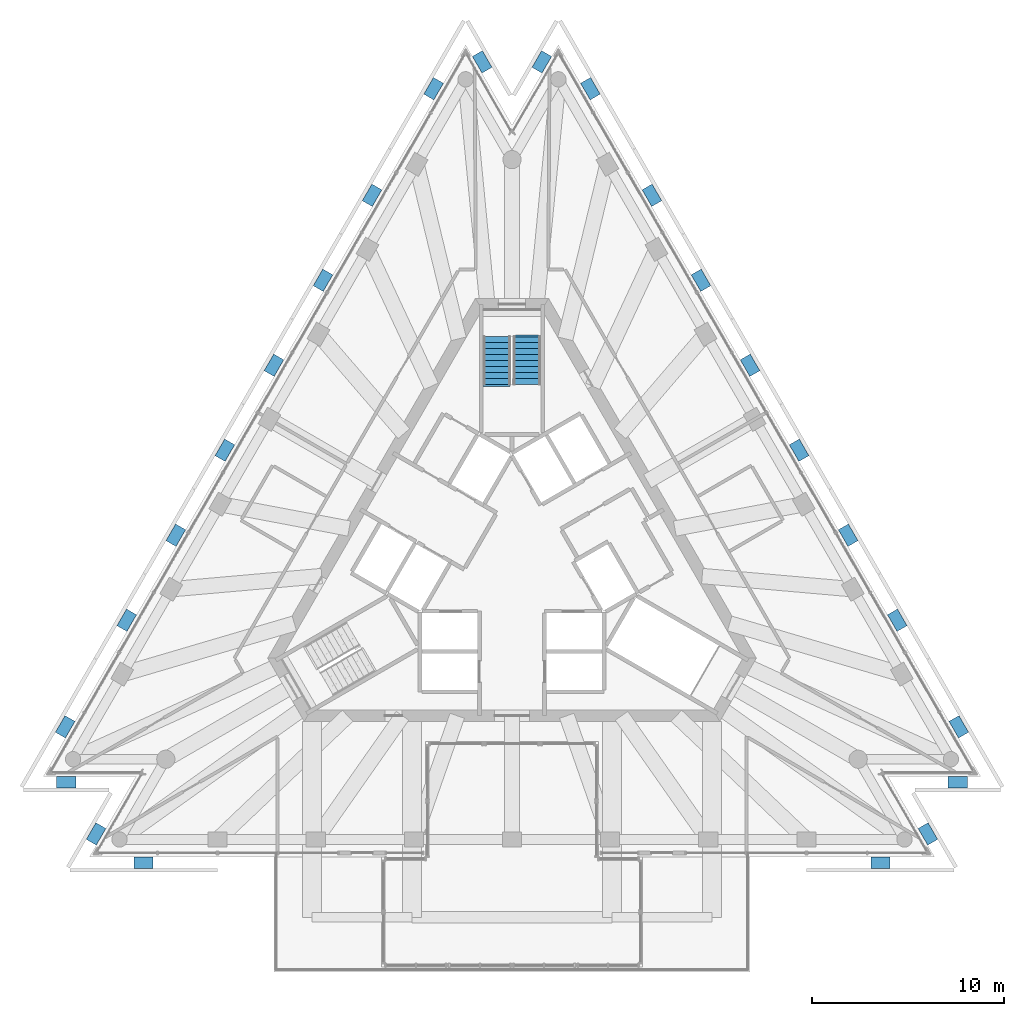
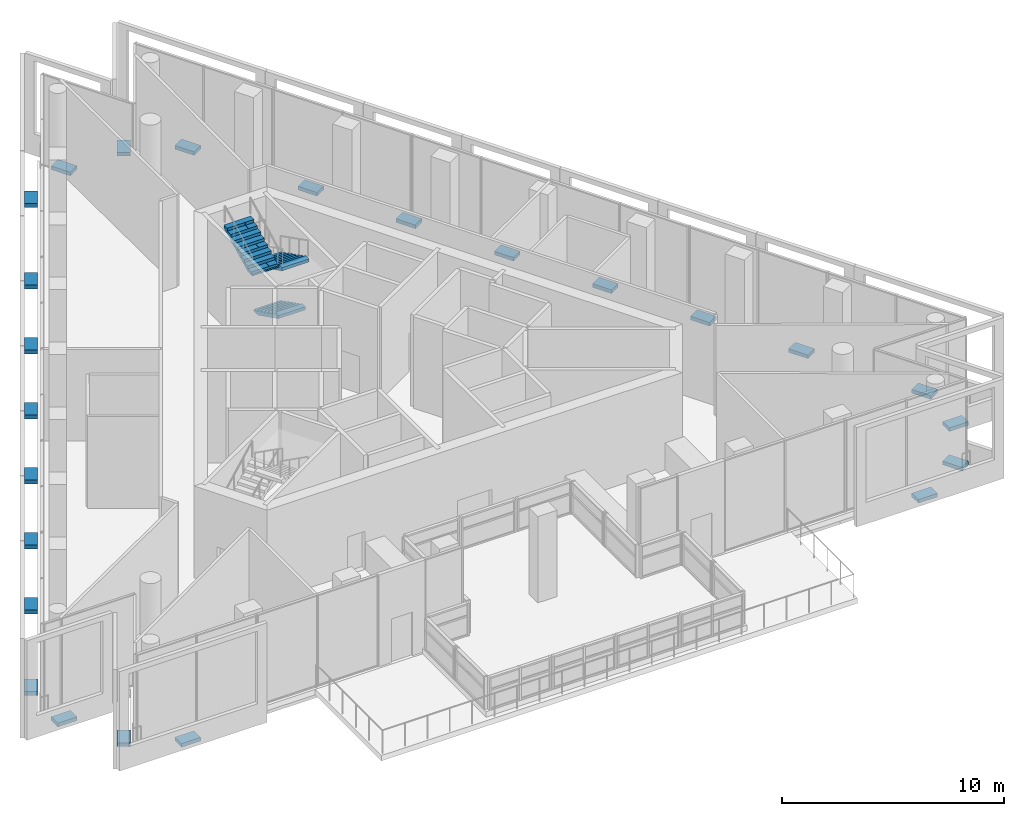
# One storey, part 15 of 17: 24 discrete accessories, 3 stair flights, 1 element without a shape of its own.
"""IFC4 building model written with IfcOpenShell, lengths in metres."""

from ifc_helpers import new_model, si_unit, direction, frame, origin, origin_2d, place, context, subcontext, project, spatial, polyline, rectangle, outline, extrude, material, type_object, element, aggregate, save


model = new_model("IFC4")

# Units and contexts
model_context = context("Model", 3, precision=1e-05, world=origin(), true_north=direction((0.0, 1.0)))
body_context = subcontext(model_context, "Body", "Model", "MODEL_VIEW")
ifc_project = project(units=[si_unit("LENGTHUNIT", "METRE"), si_unit("AREAUNIT", "SQUARE_METRE"), si_unit("VOLUMEUNIT", "CUBIC_METRE"), si_unit("PLANEANGLEUNIT", "RADIAN"), si_unit("MASSUNIT", "GRAM", prefix="KILO")], contexts=[model_context])

# Site, building, storey
site_placement = place(None, origin())
site = spatial("IfcSite", under=ifc_project, at=site_placement, CompositionType="ELEMENT")
building_placement = place(site_placement, origin())
building = spatial("IfcBuilding", under=site, at=building_placement, Name="Triada Interchange Tower", CompositionType="ELEMENT")
storey_placement = place(building_placement, frame((0.0, 0.0, 322.300048828125)))
storey = spatial("IfcBuildingStorey", under=building, at=storey_placement, Name="L77", CompositionType="ELEMENT", Elevation=322.300048828125)

# Stair, stair flights
ifc_material_1 = material(Name="Concrete C35/45", Category="concrete")
stair_type = type_object("IfcStairType", Name="HALF TURN STAIR 1400", PredefinedType="HALF_TURN_STAIR", material=ifc_material_1)
stair_placement = place(storey_placement, origin())
stair = element("IfcStair", 1, at=stair_placement, inside=storey, type_object=stair_type, Name="Exit stair S77-1", PredefinedType="HALF_TURN_STAIR")
stair_flight_type = type_object("IfcStairFlightType", Name="STRAIGHT STAIR FLIGHT 1400", PredefinedType="STRAIGHT", material=ifc_material_1)
stair_flight_1_placement = place(storey_placement, frame((0.800048828125, 11.60009765625, 0.0), z_axis=(0.0, 0.0, 1.0), x_axis=(0.0, -1.0, 0.0)))
stair_flight_1 = element("IfcStairFlight", 2, at=stair_flight_1_placement, type_object=stair_flight_type, Name="S77-1 flight 1", NumberOfRisers=8, NumberOfTreads=7, PredefinedType="STRAIGHT", RiserHeight=0.15714, TreadLength=0.31, context=body_context, shape_type="SweptSolid", body=[
    extrude(outline(polyline([(-0.10009765625, 0.0), (-0.10009765625, 0.02001953125), (0.0, 0.02001953125), (0.0, 0.1572265625), (0.31005859375, 0.1572265625), (0.31005859375, 0.314208984375), (0.6201171875, 0.314208984375), (0.6201171875, 0.471435546875), (0.929931640625, 0.471435546875), (0.929931640625, 0.628662109375), (1.239990234375, 0.628662109375), (1.239990234375, 0.78564453125), (1.550048828125, 0.78564453125), (1.550048828125, 0.94287109375), (1.860107421875, 0.94287109375), (1.860107421875, 1.10009765625), (2.169921875, 1.10009765625), (2.174072265625, 1.10009765625), (2.174072265625, 1.257080078125), (2.174072265625, 0.931884765625), (0.33154296875, 0.0), (-0.10009765625, 0.0)])), frame((0.0, 0.699951171875, 0.0), z_axis=(0.0, -1.0, 0.0), x_axis=(1.0, 0.0, 0.0)), (0.0, 0.0, 1.0), 0.46533203125),
    extrude(outline(polyline([(-0.10009765625, 0.0), (-0.10009765625, 0.02001953125), (0.0, 0.02001953125), (0.0, 0.1572265625), (0.31005859375, 0.1572265625), (0.31005859375, 0.314208984375), (0.6201171875, 0.314208984375), (0.6201171875, 0.471435546875), (0.929931640625, 0.471435546875), (0.929931640625, 0.628662109375), (1.239990234375, 0.628662109375), (1.239990234375, 0.78564453125), (1.550048828125, 0.78564453125), (1.550048828125, 0.94287109375), (1.860107421875, 0.94287109375), (1.860107421875, 1.10009765625), (2.169921875, 1.10009765625), (2.174072265625, 1.10009765625), (2.174072265625, 1.257080078125), (2.174072265625, 0.931884765625), (0.33154296875, 0.0), (-0.10009765625, 0.0)])), frame((0.0, 0.232666015625, 0.0), z_axis=(0.0, -1.0, 0.0), x_axis=(1.0, 0.0, 0.0)), (0.0, 0.0, 1.0), 0.46533203125),
    extrude(outline(polyline([(-0.10009765625, 0.0), (-0.10009765625, 0.02001953125), (0.0, 0.02001953125), (0.0, 0.1572265625), (0.31005859375, 0.1572265625), (0.31005859375, 0.314208984375), (0.6201171875, 0.314208984375), (0.6201171875, 0.471435546875), (0.929931640625, 0.471435546875), (0.929931640625, 0.628662109375), (1.239990234375, 0.628662109375), (1.239990234375, 0.78564453125), (1.550048828125, 0.78564453125), (1.550048828125, 0.94287109375), (1.860107421875, 0.94287109375), (1.860107421875, 1.10009765625), (2.169921875, 1.10009765625), (2.174072265625, 1.10009765625), (2.174072265625, 1.257080078125), (2.174072265625, 0.931884765625), (0.33154296875, 0.0), (-0.10009765625, 0.0)])), frame((0.0, -0.234619140625, 0.0), z_axis=(0.0, -1.0, 0.0), x_axis=(1.0, 0.0, 0.0)), (0.0, 0.0, 1.0), 0.46533203125),
])
stair_flight_2_placement = place(storey_placement, frame((0.800048828125, 11.60009765625, 2.67138671875), z_axis=(0.0, 0.0, 1.0), x_axis=(0.0, -1.0, 0.0)))
stair_flight_2 = element("IfcStairFlight", 3, at=stair_flight_2_placement, type_object=stair_flight_type, Name="S77-1 flight 3", NumberOfRisers=9, NumberOfTreads=8, PredefinedType="STRAIGHT", RiserHeight=0.15714, TreadLength=0.31, context=body_context, shape_type="SweptSolid", body=[
    extrude(outline(polyline([(-0.10009765625, 0.0), (-0.10009765625, 0.02001953125), (0.0, 0.02001953125), (0.0, 0.1572265625), (0.31005859375, 0.1572265625), (0.31005859375, 0.314208984375), (0.6201171875, 0.314208984375), (0.6201171875, 0.471435546875), (0.929931640625, 0.471435546875), (0.929931640625, 0.628662109375), (1.239990234375, 0.628662109375), (1.239990234375, 0.78564453125), (1.550048828125, 0.78564453125), (1.550048828125, 0.94287109375), (1.860107421875, 0.94287109375), (1.860107421875, 1.10009765625), (2.169921875, 1.10009765625), (2.169921875, 1.257080078125), (2.47998046875, 1.257080078125), (2.48388671875, 1.257080078125), (2.48388671875, 1.414306640625), (2.48388671875, 1.089111328125), (0.33154296875, 0.0), (-0.10009765625, 0.0)])), frame((0.0, 0.699951171875, 0.0), z_axis=(0.0, -1.0, 0.0), x_axis=(1.0, 0.0, 0.0)), (0.0, 0.0, 1.0), 0.46533203125),
    extrude(outline(polyline([(-0.10009765625, 0.0), (-0.10009765625, 0.02001953125), (0.0, 0.02001953125), (0.0, 0.1572265625), (0.31005859375, 0.1572265625), (0.31005859375, 0.314208984375), (0.6201171875, 0.314208984375), (0.6201171875, 0.471435546875), (0.929931640625, 0.471435546875), (0.929931640625, 0.628662109375), (1.239990234375, 0.628662109375), (1.239990234375, 0.78564453125), (1.550048828125, 0.78564453125), (1.550048828125, 0.94287109375), (1.860107421875, 0.94287109375), (1.860107421875, 1.10009765625), (2.169921875, 1.10009765625), (2.169921875, 1.257080078125), (2.47998046875, 1.257080078125), (2.48388671875, 1.257080078125), (2.48388671875, 1.414306640625), (2.48388671875, 1.089111328125), (0.33154296875, 0.0), (-0.10009765625, 0.0)])), frame((0.0, 0.232666015625, 0.0), z_axis=(0.0, -1.0, 0.0), x_axis=(1.0, 0.0, 0.0)), (0.0, 0.0, 1.0), 0.46533203125),
    extrude(outline(polyline([(-0.10009765625, 0.0), (-0.10009765625, 0.02001953125), (0.0, 0.02001953125), (0.0, 0.1572265625), (0.31005859375, 0.1572265625), (0.31005859375, 0.314208984375), (0.6201171875, 0.314208984375), (0.6201171875, 0.471435546875), (0.929931640625, 0.471435546875), (0.929931640625, 0.628662109375), (1.239990234375, 0.628662109375), (1.239990234375, 0.78564453125), (1.550048828125, 0.78564453125), (1.550048828125, 0.94287109375), (1.860107421875, 0.94287109375), (1.860107421875, 1.10009765625), (2.169921875, 1.10009765625), (2.169921875, 1.257080078125), (2.47998046875, 1.257080078125), (2.48388671875, 1.257080078125), (2.48388671875, 1.414306640625), (2.48388671875, 1.089111328125), (0.33154296875, 0.0), (-0.10009765625, 0.0)])), frame((0.0, -0.234619140625, 0.0), z_axis=(0.0, -1.0, 0.0), x_axis=(1.0, 0.0, 0.0)), (0.0, 0.0, 1.0), 0.46533203125),
])
stair_flight_3_placement = place(storey_placement, frame((-0.800048828125, 9.1201171875, 4.08544921875), z_axis=(0.0, 0.0, 1.0), x_axis=(0.0, 1.0, 0.0)))
stair_flight_3 = element("IfcStairFlight", 4, at=stair_flight_3_placement, type_object=stair_flight_type, Name="S77-1 flight 4", NumberOfRisers=9, NumberOfTreads=8, PredefinedType="STRAIGHT", RiserHeight=0.15714, TreadLength=0.31, context=body_context, shape_type="SweptSolid", body=[
    extrude(outline(polyline([(-0.10009765625, 0.0), (-0.10009765625, 0.02001953125), (0.0, 0.02001953125), (0.0, 0.1572265625), (0.31005859375, 0.1572265625), (0.31005859375, 0.314208984375), (0.6201171875, 0.314208984375), (0.6201171875, 0.471435546875), (0.929931640625, 0.471435546875), (0.929931640625, 0.628662109375), (1.239990234375, 0.628662109375), (1.239990234375, 0.78564453125), (1.550048828125, 0.78564453125), (1.550048828125, 0.94287109375), (1.860107421875, 0.94287109375), (1.860107421875, 1.10009765625), (2.169921875, 1.10009765625), (2.169921875, 1.257080078125), (2.47998046875, 1.257080078125), (2.48388671875, 1.257080078125), (2.48388671875, 1.414306640625), (2.48388671875, 1.089111328125), (0.33154296875, 0.0), (-0.10009765625, 0.0)])), frame((0.0, 0.699951171875, 0.0), z_axis=(0.0, -1.0, 0.0), x_axis=(1.0, 0.0, 0.0)), (0.0, 0.0, 1.0), 0.46533203125),
    extrude(outline(polyline([(-0.10009765625, 0.0), (-0.10009765625, 0.02001953125), (0.0, 0.02001953125), (0.0, 0.1572265625), (0.31005859375, 0.1572265625), (0.31005859375, 0.314208984375), (0.6201171875, 0.314208984375), (0.6201171875, 0.471435546875), (0.929931640625, 0.471435546875), (0.929931640625, 0.628662109375), (1.239990234375, 0.628662109375), (1.239990234375, 0.78564453125), (1.550048828125, 0.78564453125), (1.550048828125, 0.94287109375), (1.860107421875, 0.94287109375), (1.860107421875, 1.10009765625), (2.169921875, 1.10009765625), (2.169921875, 1.257080078125), (2.47998046875, 1.257080078125), (2.48388671875, 1.257080078125), (2.48388671875, 1.414306640625), (2.48388671875, 1.089111328125), (0.33154296875, 0.0), (-0.10009765625, 0.0)])), frame((0.0, 0.232666015625, 0.0), z_axis=(0.0, -1.0, 0.0), x_axis=(1.0, 0.0, 0.0)), (0.0, 0.0, 1.0), 0.46533203125),
    extrude(outline(polyline([(-0.10009765625, 0.0), (-0.10009765625, 0.02001953125), (0.0, 0.02001953125), (0.0, 0.1572265625), (0.31005859375, 0.1572265625), (0.31005859375, 0.314208984375), (0.6201171875, 0.314208984375), (0.6201171875, 0.471435546875), (0.929931640625, 0.471435546875), (0.929931640625, 0.628662109375), (1.239990234375, 0.628662109375), (1.239990234375, 0.78564453125), (1.550048828125, 0.78564453125), (1.550048828125, 0.94287109375), (1.860107421875, 0.94287109375), (1.860107421875, 1.10009765625), (2.169921875, 1.10009765625), (2.169921875, 1.257080078125), (2.47998046875, 1.257080078125), (2.48388671875, 1.257080078125), (2.48388671875, 1.414306640625), (2.48388671875, 1.089111328125), (0.33154296875, 0.0), (-0.10009765625, 0.0)])), frame((0.0, -0.234619140625, 0.0), z_axis=(0.0, -1.0, 0.0), x_axis=(1.0, 0.0, 0.0)), (0.0, 0.0, 1.0), 0.46533203125),
])
aggregate(stair, [stair_flight_1, stair_flight_2, stair_flight_3])

# Discrete accessories
ifc_material_2 = material(Name="Steel S355", Category="steel")
discrete_accessory_type = type_object("IfcDiscreteAccessoryType", Name="Steel bracket outer skin", PredefinedType="BRACKET", material=ifc_material_2)
for number, where, z_axis, x_axis, name in (
    (5, (-4.083984375, 24.52587890625, -0.27001953125), (0.0, 0.0, 1.0), (-0.866019164165, 0.500010807182, 0.0), "Bracket L77 01"),
    (6, (-7.291015625, 18.971923828125, -0.27001953125), (0.0, 0.0, 1.0), (-0.866019164165, 0.500010807182, 0.0), "Bracket L77 02"),
    (7, (-9.847900390625, 14.54296875, -0.27001953125), (0.0, 0.0, 1.0), (-0.866019164165, 0.500010807182, 0.0), "Bracket L77 03"),
    (8, (-12.405029296875, 10.114013671875, -0.27001953125), (0.0, 0.0, 1.0), (-0.866019164165, 0.500010807182, 0.0), "Bracket L77 04"),
    (9, (-14.9619140625, 5.68603515625, -0.27001953125), (0.0, 0.0, 1.0), (-0.866019164165, 0.500010807182, 0.0), "Bracket L77 05"),
    (10, (-17.51904296875, 1.257080078125, -0.27001953125), (0.0, 0.0, 1.0), (-0.866019164165, 0.500010807182, 0.0), "Bracket L77 06"),
    (11, (-20.075927734375, -3.172119140625, -0.27001953125), (0.0, 0.0, 1.0), (-0.866019164165, 0.500010807182, 0.0), "Bracket L77 07"),
    (12, (-23.281982421875, -8.72607421875, -0.27001953125), (0.0, 0.0, 1.0), (-0.866019164165, 0.500010807182, 0.0), "Bracket L77 08"),
    (13, (-23.22705078125, -11.614990234375, -0.27001953125), (0.0, 0.0, 1.0), (0.0, -1.0, 0.0), "Bracket L77 09"),
    (14, (-21.672119140625, -14.30810546875, -0.27001953125), (0.0, 0.0, 1.0), (-0.866044296355, 0.49996727568, 0.0), "Bracket L77 10"),
    (15, (-19.197021484375, -15.800048828125, -0.27001953125), (0.0, 0.0, 1.0), (0.0, -1.0, 0.0), "Bracket L77 11"),
    (16, (19.197021484375, -15.800048828125, -0.27001953125), (0.0, 0.0, 1.0), (0.0, -1.0, 0.0), "Bracket L77 18"),
    (17, (21.672119140625, -14.30810546875, -0.27001953125), (0.0, 0.0, 1.0), (0.866044296355, 0.49996727568, 0.0), "Bracket L77 19"),
    (18, (23.22705078125, -11.614990234375, -0.27001953125), (0.0, 0.0, 1.0), (0.0, -1.0, 0.0), "Bracket L77 20"),
    (19, (23.281982421875, -8.72607421875, -0.27001953125), (0.0, 0.0, 1.0), (0.866019164165, 0.500010807182, 0.0), "Bracket L77 21"),
    (20, (20.075927734375, -3.172119140625, -0.27001953125), (0.0, 0.0, 1.0), (0.866019164165, 0.500010807182, 0.0), "Bracket L77 22"),
    (21, (17.51904296875, 1.257080078125, -0.27001953125), (0.0, 0.0, 1.0), (0.866019164165, 0.500010807182, 0.0), "Bracket L77 23"),
    (22, (14.9619140625, 5.68603515625, -0.27001953125), (0.0, 0.0, 1.0), (0.866019164165, 0.500010807182, 0.0), "Bracket L77 24"),
    (23, (12.405029296875, 10.114013671875, -0.27001953125), (0.0, 0.0, 1.0), (0.866019164165, 0.500010807182, 0.0), "Bracket L77 25"),
    (24, (9.847900390625, 14.54296875, -0.27001953125), (0.0, 0.0, 1.0), (0.866019164165, 0.500010807182, 0.0), "Bracket L77 26"),
    (25, (7.291015625, 18.971923828125, -0.27001953125), (0.0, 0.0, 1.0), (0.866019164165, 0.500010807182, 0.0), "Bracket L77 27"),
    (26, (4.083984375, 24.52587890625, -0.27001953125), (0.0, 0.0, 1.0), (0.866019164165, 0.500010807182, 0.0), "Bracket L77 28"),
    (27, (1.553955078125, 25.923095703125, -0.27001953125), (0.0, 0.0, 1.0), (-0.866044296355, 0.49996727568, 0.0), "Bracket L77 29"),
    (28, (-1.553955078125, 25.923095703125, -0.27001953125), (0.0, 0.0, 1.0), (0.866044296355, 0.49996727568, 0.0), "Bracket L77 30"),
):
    element("IfcDiscreteAccessory", number, at=place(storey_placement, frame(where, z_axis=z_axis, x_axis=x_axis)), inside=storey, type_object=discrete_accessory_type, Name=name, PredefinedType="BRACKET", context=body_context, shape_type="SweptSolid", body=[
        extrude(rectangle(XDim=0.60009765625, YDim=1.0, at=origin_2d()), origin(), (0.0, 0.0, 1.0), 0.199951171875),
    ])

save(model, "model.ifc")
